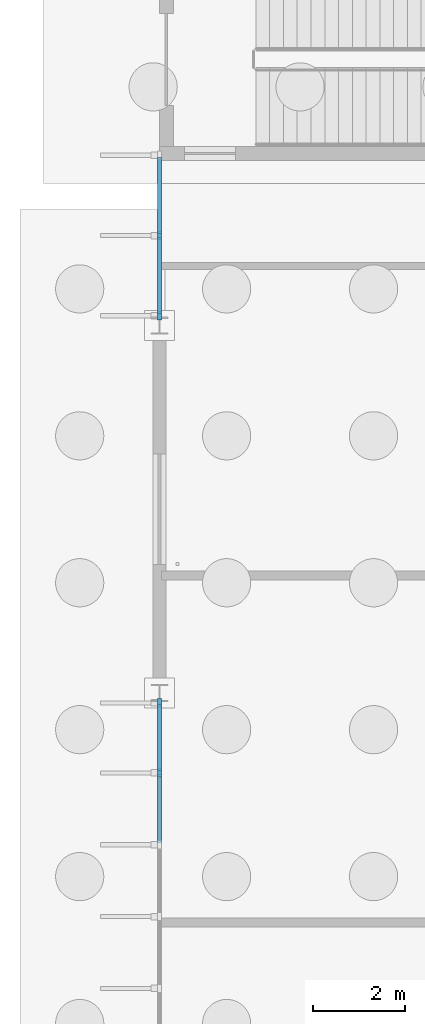
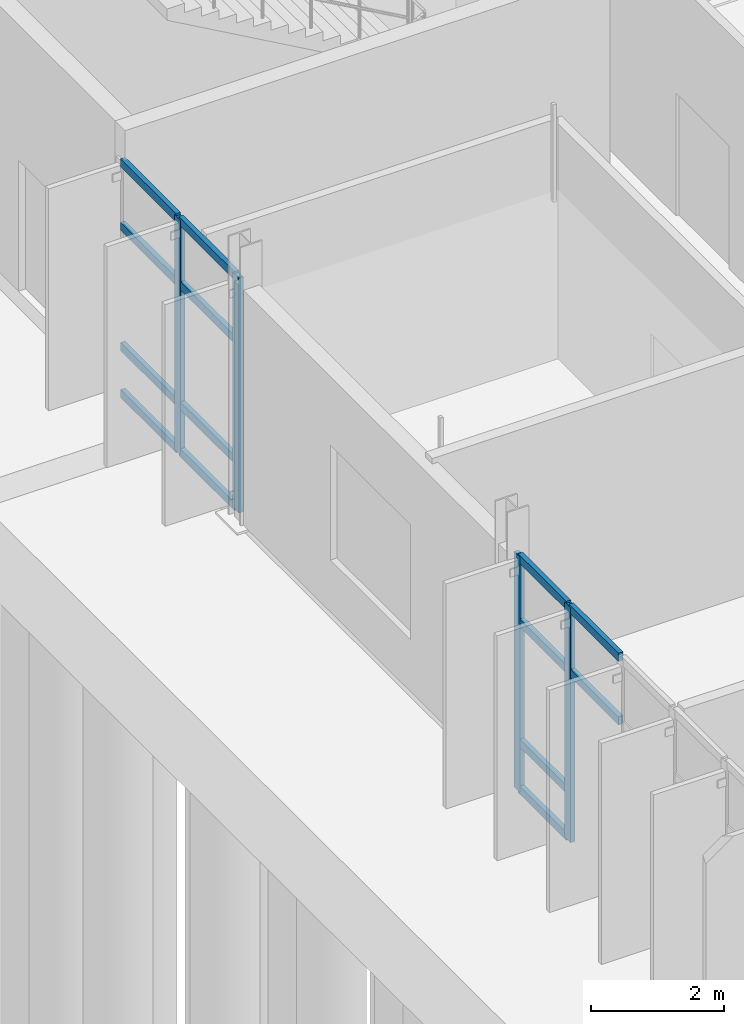
# One storey, part 22 of 111: 18 members, 2 elements without a shape of their own.
"""IFC4 building model written with IfcOpenShell, lengths in metres."""

from ifc_helpers import new_model, si_unit, direction, frame, origin, origin_2d, place, context, subcontext, project, spatial, rectangle, extrude, material, material_profile, profile_set, type_object, element, aggregate, save


model = new_model("IFC4")

# Units and contexts
model_context = context("Model", 3, precision=1e-05, world=origin(), true_north=direction((0.0, 1.0)))
body_context = subcontext(model_context, "Body", "Model", "MODEL_VIEW")
ifc_project = project(units=[si_unit("LENGTHUNIT", "METRE"), si_unit("AREAUNIT", "SQUARE_METRE"), si_unit("VOLUMEUNIT", "CUBIC_METRE"), si_unit("PLANEANGLEUNIT", "RADIAN"), si_unit("MASSUNIT", "GRAM", prefix="KILO")], contexts=[model_context])

# Site, building, storey
site_placement = place(None, origin())
site = spatial("IfcSite", under=ifc_project, at=site_placement, CompositionType="ELEMENT")
building_placement = place(site_placement, origin())
building = spatial("IfcBuilding", under=site, at=building_placement, Name="Dunescarp Central Library", CompositionType="ELEMENT")
storey_placement = place(building_placement, origin())
storey = spatial("IfcBuildingStorey", under=building, at=storey_placement, Name="L00", CompositionType="ELEMENT", Elevation=0.0)

# Curtain wall, members
ifc_material = material(Name="Marine-grade anodised aluminium 6063-T6", Category="aluminium")
curtain_wall_type = type_object("IfcCurtainWallType", Name="ARC-CW-STICK", PredefinedType="NOTDEFINED", material=ifc_material)
curtain_wall_1_placement = place(storey_placement, origin())
curtain_wall_1 = element("IfcCurtainWall", 1, at=curtain_wall_1_placement, inside=storey, type_object=curtain_wall_type, Name="L00 curtain wall CW-V1-003", PredefinedType="NOTDEFINED")
ifc_material_profile_1 = material_profile(ifc_material, rectangle(XDim=0.080078125, YDim=0.179931640625, at=origin_2d()), Name="AL 80x180")
ifc_profile_set_1 = profile_set([ifc_material_profile_1], Name="Marine-grade anodised aluminium 6063-T6")
member_type_1 = type_object("IfcMemberType", Name="ARC-CWM-180", PredefinedType="MULLION", material=ifc_profile_set_1)
member_1_placement = place(storey_placement, frame((0.0, 19.06005859375, 0.0), z_axis=(0.0, 0.0, 1.0), x_axis=(-1.0, 0.0, 0.0)))
member_1 = element("IfcMember", 2, at=member_1_placement, type_object=member_type_1, Name="CW-V1-003 mullion 10", PredefinedType="MULLION", context=body_context, shape_type="SweptSolid", body=[
    extrude(rectangle(XDim=0.080078125, YDim=0.179931640625, at=origin_2d()), origin(), (0.0, 0.0, 1.0), 4.304931640625),
])
member_2_placement = place(storey_placement, frame((0.0, 20.5849609375, 0.0), z_axis=(0.0, 0.0, 1.0), x_axis=(-1.0, 0.0, 0.0)))
member_2 = element("IfcMember", 3, at=member_2_placement, type_object=member_type_1, Name="CW-V1-003 mullion 11", PredefinedType="MULLION", context=body_context, shape_type="SweptSolid", body=[
    extrude(rectangle(XDim=0.080078125, YDim=0.179931640625, at=origin_2d()), origin(), (0.0, 0.0, 1.0), 4.304931640625),
])

curtain_wall_2_placement = place(storey_placement, origin())
curtain_wall_2 = element("IfcCurtainWall", 4, at=curtain_wall_2_placement, inside=storey, type_object=curtain_wall_type, Name="L00 curtain wall CW-V1-004", PredefinedType="NOTDEFINED")
member_3_placement = place(storey_placement, frame((0.0, 29.014892578125, 0.0), z_axis=(0.0, 0.0, 1.0), x_axis=(-1.0, 0.0, 0.0)))
member_3 = element("IfcMember", 5, at=member_3_placement, type_object=member_type_1, Name="CW-V1-004 mullion 1", PredefinedType="MULLION", context=body_context, shape_type="SweptSolid", body=[
    extrude(rectangle(XDim=0.080078125, YDim=0.179931640625, at=origin_2d()), origin(), (0.0, 0.0, 1.0), 4.304931640625),
])
member_4_placement = place(storey_placement, frame((0.0, 30.762451171875, 0.0), z_axis=(0.0, 0.0, 1.0), x_axis=(-1.0, 0.0, 0.0)))
member_4 = element("IfcMember", 6, at=member_4_placement, type_object=member_type_1, Name="CW-V1-004 mullion 2", PredefinedType="MULLION", context=body_context, shape_type="SweptSolid", body=[
    extrude(rectangle(XDim=0.080078125, YDim=0.179931640625, at=origin_2d()), origin(), (0.0, 0.0, 1.0), 4.304931640625),
])

# Member
ifc_material_profile_2 = material_profile(ifc_material, rectangle(XDim=0.080078125, YDim=0.14990234375, at=origin_2d()), Name="AL 80x150")
ifc_profile_set_2 = profile_set([ifc_material_profile_2], Name="Marine-grade anodised aluminium 6063-T6")
member_type_2 = type_object("IfcMemberType", Name="ARC-CWT-150", PredefinedType="USERDEFINED", material=ifc_profile_set_2)
member_5_placement = place(storey_placement, frame((0.0, 17.534912109375, 3.10009765625), z_axis=(0.0, 1.0, 0.0), x_axis=(-1.0, 0.0, 0.0)))
member_5 = element("IfcMember", 7, at=member_5_placement, type_object=member_type_2, Name="CW-V1-003 transom 9.3", ObjectType="TRANSOM", PredefinedType="USERDEFINED", context=body_context, shape_type="SweptSolid", body=[
    extrude(rectangle(XDim=0.080078125, YDim=0.14990234375, at=origin_2d()), origin(), (0.0, 0.0, 1.0), 1.485107421875),
])

member_6_placement = place(storey_placement, frame((0.0, 17.534912109375, 4.264892578125), z_axis=(0.0, 1.0, 0.0), x_axis=(-1.0, 0.0, 0.0)))
member_6 = element("IfcMember", 8, at=member_6_placement, type_object=member_type_2, Name="CW-V1-003 transom 9.4", ObjectType="TRANSOM", PredefinedType="USERDEFINED", context=body_context, shape_type="SweptSolid", body=[
    extrude(rectangle(XDim=0.080078125, YDim=0.14990234375, at=origin_2d()), origin(), (0.0, 0.0, 1.0), 1.485107421875),
])

member_7_placement = place(storey_placement, frame((0.0, 19.10009765625, 0.0400390625), z_axis=(0.0, 1.0, 0.0), x_axis=(-1.0, 0.0, 0.0)))
member_7 = element("IfcMember", 9, at=member_7_placement, type_object=member_type_2, Name="CW-V1-003 transom 10.1", ObjectType="TRANSOM", PredefinedType="USERDEFINED", context=body_context, shape_type="SweptSolid", body=[
    extrude(rectangle(XDim=0.080078125, YDim=0.14990234375, at=origin_2d()), origin(), (0.0, 0.0, 1.0), 1.44482421875),
])

member_8_placement = place(storey_placement, frame((0.0, 19.10009765625, 0.89990234375), z_axis=(0.0, 1.0, 0.0), x_axis=(-1.0, 0.0, 0.0)))
member_8 = element("IfcMember", 10, at=member_8_placement, type_object=member_type_2, Name="CW-V1-003 transom 10.2", ObjectType="TRANSOM", PredefinedType="USERDEFINED", context=body_context, shape_type="SweptSolid", body=[
    extrude(rectangle(XDim=0.080078125, YDim=0.14990234375, at=origin_2d()), origin(), (0.0, 0.0, 1.0), 1.44482421875),
])

member_9_placement = place(storey_placement, frame((0.0, 19.10009765625, 3.10009765625), z_axis=(0.0, 1.0, 0.0), x_axis=(-1.0, 0.0, 0.0)))
member_9 = element("IfcMember", 11, at=member_9_placement, type_object=member_type_2, Name="CW-V1-003 transom 10.3", ObjectType="TRANSOM", PredefinedType="USERDEFINED", context=body_context, shape_type="SweptSolid", body=[
    extrude(rectangle(XDim=0.080078125, YDim=0.14990234375, at=origin_2d()), origin(), (0.0, 0.0, 1.0), 1.44482421875),
])

member_10_placement = place(storey_placement, frame((0.0, 19.10009765625, 4.264892578125), z_axis=(0.0, 1.0, 0.0), x_axis=(-1.0, 0.0, 0.0)))
member_10 = element("IfcMember", 12, at=member_10_placement, type_object=member_type_2, Name="CW-V1-003 transom 10.4", ObjectType="TRANSOM", PredefinedType="USERDEFINED", context=body_context, shape_type="SweptSolid", body=[
    extrude(rectangle(XDim=0.080078125, YDim=0.14990234375, at=origin_2d()), origin(), (0.0, 0.0, 1.0), 1.44482421875),
])

aggregate(curtain_wall_1, [member_1, member_2, member_5, member_6, member_7, member_8, member_9, member_10])

member_11_placement = place(storey_placement, frame((0.0, 29.054931640625, 0.0400390625), z_axis=(0.0, 1.0, 0.0), x_axis=(-1.0, 0.0, 0.0)))
member_11 = element("IfcMember", 13, at=member_11_placement, type_object=member_type_2, Name="CW-V1-004 transom 1.1", ObjectType="TRANSOM", PredefinedType="USERDEFINED", context=body_context, shape_type="SweptSolid", body=[
    extrude(rectangle(XDim=0.080078125, YDim=0.14990234375, at=origin_2d()), origin(), (0.0, 0.0, 1.0), 1.66748046875),
])

member_12_placement = place(storey_placement, frame((0.0, 29.054931640625, 0.89990234375), z_axis=(0.0, 1.0, 0.0), x_axis=(-1.0, 0.0, 0.0)))
member_12 = element("IfcMember", 14, at=member_12_placement, type_object=member_type_2, Name="CW-V1-004 transom 1.2", ObjectType="TRANSOM", PredefinedType="USERDEFINED", context=body_context, shape_type="SweptSolid", body=[
    extrude(rectangle(XDim=0.080078125, YDim=0.14990234375, at=origin_2d()), origin(), (0.0, 0.0, 1.0), 1.66748046875),
])

member_13_placement = place(storey_placement, frame((0.0, 29.054931640625, 3.10009765625), z_axis=(0.0, 1.0, 0.0), x_axis=(-1.0, 0.0, 0.0)))
member_13 = element("IfcMember", 15, at=member_13_placement, type_object=member_type_2, Name="CW-V1-004 transom 1.3", ObjectType="TRANSOM", PredefinedType="USERDEFINED", context=body_context, shape_type="SweptSolid", body=[
    extrude(rectangle(XDim=0.080078125, YDim=0.14990234375, at=origin_2d()), origin(), (0.0, 0.0, 1.0), 1.66748046875),
])

member_14_placement = place(storey_placement, frame((0.0, 29.054931640625, 4.264892578125), z_axis=(0.0, 1.0, 0.0), x_axis=(-1.0, 0.0, 0.0)))
member_14 = element("IfcMember", 16, at=member_14_placement, type_object=member_type_2, Name="CW-V1-004 transom 1.4", ObjectType="TRANSOM", PredefinedType="USERDEFINED", context=body_context, shape_type="SweptSolid", body=[
    extrude(rectangle(XDim=0.080078125, YDim=0.14990234375, at=origin_2d()), origin(), (0.0, 0.0, 1.0), 1.66748046875),
])

member_15_placement = place(storey_placement, frame((0.0, 30.802490234375, 0.0400390625), z_axis=(0.0, 1.0, 0.0), x_axis=(-1.0, 0.0, 0.0)))
member_15 = element("IfcMember", 17, at=member_15_placement, type_object=member_type_2, Name="CW-V1-004 transom 2.1", ObjectType="TRANSOM", PredefinedType="USERDEFINED", context=body_context, shape_type="SweptSolid", body=[
    extrude(rectangle(XDim=0.080078125, YDim=0.14990234375, at=origin_2d()), origin(), (0.0, 0.0, 1.0), 1.66748046875),
])

member_16_placement = place(storey_placement, frame((0.0, 30.802490234375, 0.89990234375), z_axis=(0.0, 1.0, 0.0), x_axis=(-1.0, 0.0, 0.0)))
member_16 = element("IfcMember", 18, at=member_16_placement, type_object=member_type_2, Name="CW-V1-004 transom 2.2", ObjectType="TRANSOM", PredefinedType="USERDEFINED", context=body_context, shape_type="SweptSolid", body=[
    extrude(rectangle(XDim=0.080078125, YDim=0.14990234375, at=origin_2d()), origin(), (0.0, 0.0, 1.0), 1.66748046875),
])

member_17_placement = place(storey_placement, frame((0.0, 30.802490234375, 3.10009765625), z_axis=(0.0, 1.0, 0.0), x_axis=(-1.0, 0.0, 0.0)))
member_17 = element("IfcMember", 19, at=member_17_placement, type_object=member_type_2, Name="CW-V1-004 transom 2.3", ObjectType="TRANSOM", PredefinedType="USERDEFINED", context=body_context, shape_type="SweptSolid", body=[
    extrude(rectangle(XDim=0.080078125, YDim=0.14990234375, at=origin_2d()), origin(), (0.0, 0.0, 1.0), 1.66748046875),
])

member_18_placement = place(storey_placement, frame((0.0, 30.802490234375, 4.264892578125), z_axis=(0.0, 1.0, 0.0), x_axis=(-1.0, 0.0, 0.0)))
member_18 = element("IfcMember", 20, at=member_18_placement, type_object=member_type_2, Name="CW-V1-004 transom 2.4", ObjectType="TRANSOM", PredefinedType="USERDEFINED", context=body_context, shape_type="SweptSolid", body=[
    extrude(rectangle(XDim=0.080078125, YDim=0.14990234375, at=origin_2d()), origin(), (0.0, 0.0, 1.0), 1.66748046875),
])

aggregate(curtain_wall_2, [member_3, member_4, member_11, member_12, member_13, member_14, member_15, member_16, member_17, member_18])

save(model, "model.ifc")
